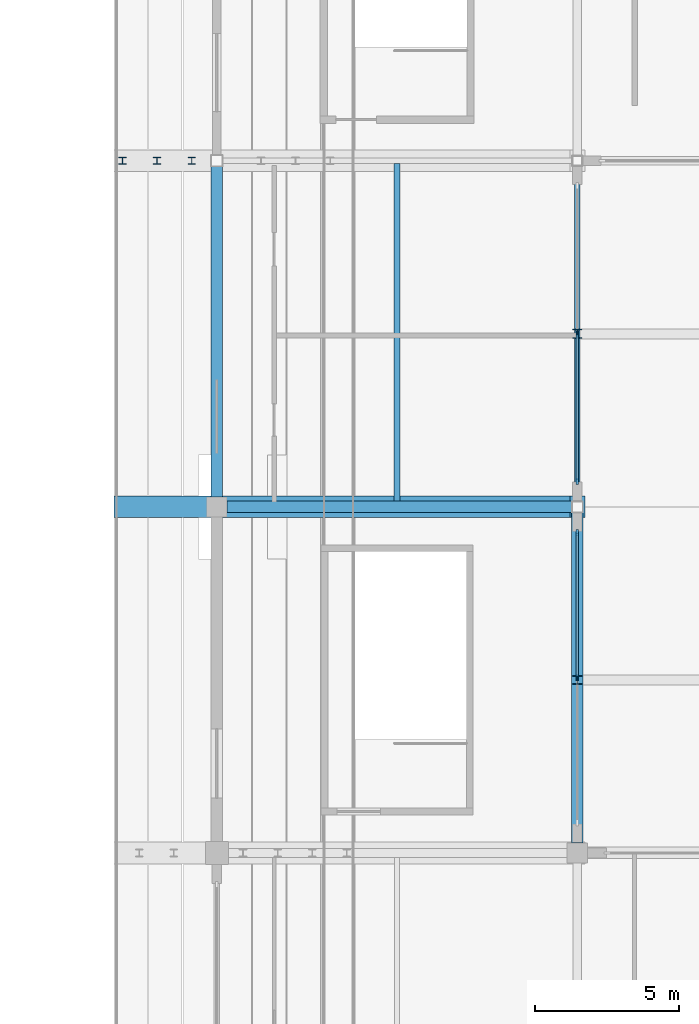
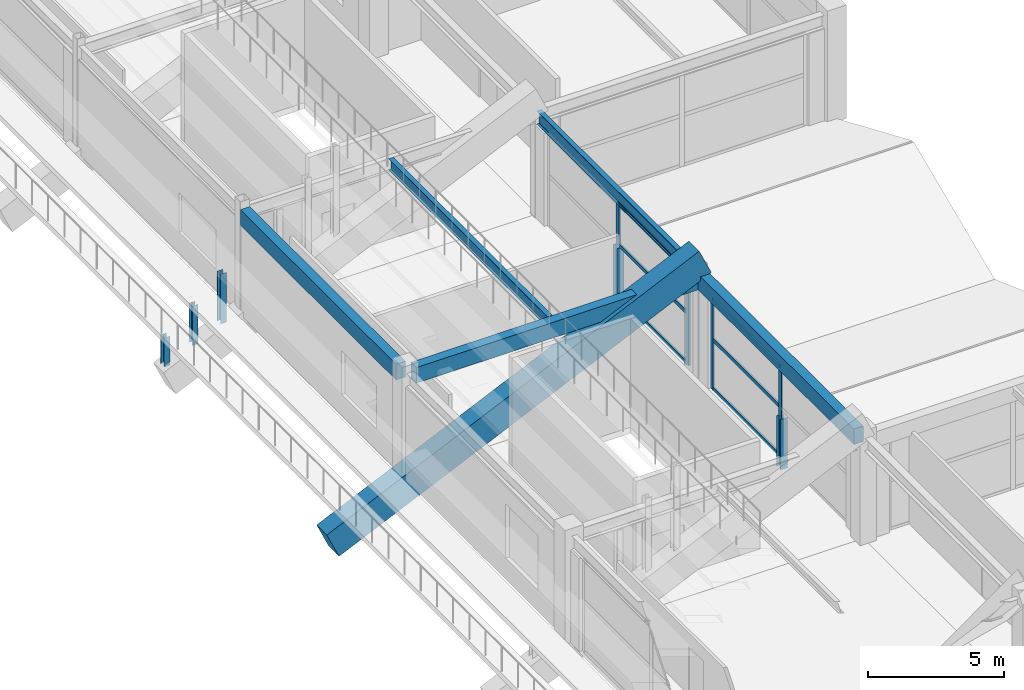
# One storey, part 54 of 128: 15 members, 6 beams, 2 elements without a shape of their own.
"""IFC4 building model written with IfcOpenShell, lengths in metres."""

from ifc_helpers import new_model, si_unit, direction, frame, origin, origin_2d, place, context, subcontext, project, spatial, rectangle, i_section, extrude, material, layer, layer_set, material_profile, profile_set, type_object, element, aggregate, save


model = new_model("IFC4")

# Units and contexts
model_context = context("Model", 3, precision=1e-05, world=origin(), true_north=direction((0.0, 1.0)))
body_context = subcontext(model_context, "Body", "Model", "MODEL_VIEW")
ifc_project = project(units=[si_unit("LENGTHUNIT", "METRE"), si_unit("AREAUNIT", "SQUARE_METRE"), si_unit("VOLUMEUNIT", "CUBIC_METRE"), si_unit("PLANEANGLEUNIT", "RADIAN"), si_unit("MASSUNIT", "GRAM", prefix="KILO")], contexts=[model_context])

# Site, building, storey
site_placement = place(None, origin())
site = spatial("IfcSite", under=ifc_project, at=site_placement, CompositionType="ELEMENT")
building_placement = place(site_placement, origin())
building = spatial("IfcBuilding", under=site, at=building_placement, Name="Kazenohara Klinker Stadium", CompositionType="ELEMENT")
storey_placement = place(building_placement, frame((0.0, 0.0, 15.300048828125)))
storey = spatial("IfcBuildingStorey", under=building, at=storey_placement, Name="L03", CompositionType="ELEMENT", Elevation=15.300048828125)

# Beams
ifc_material_1 = material(Name="Steel S355", Category="steel")
ifc_material_profile_1 = material_profile(ifc_material_1, i_section(OverallWidth=0.199951171875, OverallDepth=0.5, WebThickness=0.010009765625, FlangeThickness=0.01611328125, FilletRadius=0.012939453125, at=origin_2d()), Name="H-500x200x10x16")
ifc_profile_set_1 = profile_set([ifc_material_profile_1], Name="Steel S355")
beam_type_1 = type_object("IfcBeamType", Name="BM-JST01", PredefinedType="JOIST", material=ifc_profile_set_1)
beam_1_placement = place(storey_placement, frame((181.25, 84.199951171875, 4.510009765625), z_axis=(0.0, 1.0, 0.0), x_axis=(-1.0, 0.0, 0.0)))
element("IfcBeam", 1, at=beam_1_placement, inside=storey, type_object=beam_type_1, Name="Secondary floor joist SJ01 L03 15/H", PredefinedType="JOIST", context=body_context, shape_type="SweptSolid", body=[
    extrude(i_section(OverallWidth=0.199951171875, OverallDepth=0.5, WebThickness=0.010009765625, FlangeThickness=0.01611328125, FilletRadius=0.012939453125, at=origin_2d()), origin(), (0.0, 0.0, 1.0), 11.699951171875),
])
ifc_material_2 = material(Name="Concrete C40/50", Category="concrete")
ifc_material_profile_2 = material_profile(ifc_material_2, rectangle(XDim=0.39990234375, YDim=0.699951171875, at=origin_2d()), Name="RC-BM-400x700")
ifc_profile_set_2 = profile_set([ifc_material_profile_2], Name="Concrete C40/50")
beam_type_2 = type_object("IfcBeamType", Name="BM-RC04", PredefinedType="BEAM", material=ifc_profile_set_2)
beam_2_placement = place(storey_placement, frame((175.35009765625, 84.0, 4.409912109375), z_axis=(1.0, 0.0, 0.0), x_axis=(0.0, 1.0, 0.0)))
element("IfcBeam", 2, at=beam_2_placement, inside=storey, type_object=beam_type_2, Name="Primary girder BG04 L03 15-16/H", PredefinedType="BEAM", context=body_context, shape_type="SweptSolid", body=[
    extrude(rectangle(XDim=0.39990234375, YDim=0.699951171875, at=origin_2d()), origin(), (0.0, 0.0, 1.0), 11.949951171875),
])
for number, where, z_axis, x_axis, name in (
    (3, (175.0, 84.35009765625, 4.409912109375), (0.0, 1.0, 0.0), (-1.0, 0.0, 0.0), "Primary girder BG04 L03 15/H-J"),
    (4, (187.5, 72.35009765625, 4.409912109375), (0.0, 1.0, 0.0), (-1.0, 0.0, 0.0), "Primary girder BG04 L03 16/G-H"),
):
    element("IfcBeam", number, at=place(storey_placement, frame(where, z_axis=z_axis, x_axis=x_axis)), inside=storey, type_object=beam_type_2, Name=name, PredefinedType="BEAM", context=body_context, shape_type="SweptSolid", body=[
        extrude(rectangle(XDim=0.39990234375, YDim=0.699951171875, at=origin_2d()), origin(), (0.0, 0.0, 1.0), 11.449951171875),
    ])
ifc_material_profile_3 = material_profile(ifc_material_1, i_section(OverallWidth=0.199951171875, OverallDepth=0.60009765625, WebThickness=0.010986328125, FlangeThickness=0.01708984375, FilletRadius=0.012939453125, at=origin_2d()), Name="H-600x200x11x17")
ifc_profile_set_3 = profile_set([ifc_material_profile_3], Name="Steel S355")
beam_type_3 = type_object("IfcBeamType", Name="BM-ST04", PredefinedType="BEAM", material=ifc_profile_set_3)
beam_3_placement = place(storey_placement, frame((187.5, 84.199951171875, 4.4599609375), z_axis=(0.0, 1.0, 0.0), x_axis=(-1.0, 0.0, 0.0)))
element("IfcBeam", 5, at=beam_3_placement, inside=storey, type_object=beam_type_3, Name="Primary girder SB04 L03 16/H-J", PredefinedType="BEAM", context=body_context, shape_type="SweptSolid", body=[
    extrude(i_section(OverallWidth=0.199951171875, OverallDepth=0.60009765625, WebThickness=0.010986328125, FlangeThickness=0.01708984375, FilletRadius=0.012939453125, at=origin_2d()), origin(), (0.0, 0.0, 1.0), 11.625),
])

# Curtain wall, members
ifc_material_3 = material(Name="Anodised aluminium and triple glazing", Category="aluminium")
ifc_layer_1 = layer(ifc_material_3, 0.169921875)
ifc_layer_set_1 = layer_set([ifc_layer_1], Name="Anodised aluminium and triple glazing")
curtain_wall_type_1 = type_object("IfcCurtainWallType", Name="CW-SYS-04", PredefinedType="USERDEFINED", material=ifc_layer_set_1)
curtain_wall_1_placement = place(storey_placement, origin())
curtain_wall_1 = element("IfcCurtainWall", 6, at=curtain_wall_1_placement, inside=storey, type_object=curtain_wall_type_1, Name="Unitised facade curtain wall CW04 L03 Y15-6", ObjectType="UNITISED CURTAIN WALL", PredefinedType="USERDEFINED")
ifc_material_4 = material(Name="Anodised aluminium 6063-T6", Category="aluminium")
ifc_material_profile_4 = material_profile(ifc_material_4, rectangle(XDim=0.074951171875, YDim=0.219970703125, at=origin_2d()), Name="ALU-MUL-75x220")
ifc_profile_set_4 = profile_set([ifc_material_profile_4], Name="Anodised aluminium 6063-T6")
member_type_1 = type_object("IfcMemberType", Name="CW-MUL-220", PredefinedType="MULLION", material=ifc_profile_set_4)
member_1_placement = place(storey_placement, frame((187.5, 78.074951171875, 0.0), z_axis=(0.0, 0.0, 1.0), x_axis=(-1.0, 0.0, 0.0)))
member_1 = element("IfcMember", 7, at=member_1_placement, type_object=member_type_1, Name="CW04 mullion 2", PredefinedType="MULLION", context=body_context, shape_type="SweptSolid", body=[
    extrude(rectangle(XDim=0.074951171875, YDim=0.219970703125, at=origin_2d()), origin(), (0.0, 0.0, 1.0), 4.06005859375),
])
member_2_placement = place(storey_placement, frame((187.5, 83.1083984375, 0.0), z_axis=(0.0, 0.0, 1.0), x_axis=(-1.0, 0.0, 0.0)))
member_2 = element("IfcMember", 8, at=member_2_placement, type_object=member_type_1, Name="CW04 mullion 3", PredefinedType="MULLION", context=body_context, shape_type="SweptSolid", body=[
    extrude(rectangle(XDim=0.074951171875, YDim=0.219970703125, at=origin_2d()), origin(), (0.0, 0.0, 1.0), 4.06005859375),
])

ifc_layer_2 = layer(ifc_material_3, 0.18994140625)
ifc_layer_set_2 = layer_set([ifc_layer_2], Name="Anodised aluminium and triple glazing")
curtain_wall_type_2 = type_object("IfcCurtainWallType", Name="CW-SYS-05", PredefinedType="USERDEFINED", material=ifc_layer_set_2)
curtain_wall_2_placement = place(storey_placement, origin())
curtain_wall_2 = element("IfcCurtainWall", 9, at=curtain_wall_2_placement, inside=storey, type_object=curtain_wall_type_2, Name="Unitised facade curtain wall CW05 L03 Y15-7", ObjectType="UNITISED CURTAIN WALL", PredefinedType="USERDEFINED")
member_3_placement = place(storey_placement, frame((187.5, 84.8916015625, 0.0), z_axis=(0.0, 0.0, 1.0), x_axis=(-1.0, 0.0, 0.0)))
member_3 = element("IfcMember", 10, at=member_3_placement, type_object=member_type_1, Name="CW05 mullion 1", PredefinedType="MULLION", context=body_context, shape_type="SweptSolid", body=[
    extrude(rectangle(XDim=0.074951171875, YDim=0.219970703125, at=origin_2d()), origin(), (0.0, 0.0, 1.0), 4.159912109375),
])
member_4_placement = place(storey_placement, frame((187.5, 90.012451171875, 0.0), z_axis=(0.0, 0.0, 1.0), x_axis=(-1.0, 0.0, 0.0)))
member_4 = element("IfcMember", 11, at=member_4_placement, type_object=member_type_1, Name="CW05 mullion 2", PredefinedType="MULLION", context=body_context, shape_type="SweptSolid", body=[
    extrude(rectangle(XDim=0.074951171875, YDim=0.219970703125, at=origin_2d()), origin(), (0.0, 0.0, 1.0), 4.159912109375),
])

# Member
ifc_material_profile_5 = material_profile(ifc_material_4, rectangle(XDim=0.074951171875, YDim=0.159912109375, at=origin_2d()), Name="ALU-TRN-75x160")
ifc_profile_set_5 = profile_set([ifc_material_profile_5], Name="Anodised aluminium 6063-T6")
member_type_2 = type_object("IfcMemberType", Name="CW-TRN-160", PredefinedType="USERDEFINED", material=ifc_profile_set_5)
member_5_placement = place(storey_placement, frame((187.5, 78.112548828125, 0.037353515625), z_axis=(0.0, 1.0, 0.0), x_axis=(-1.0, 0.0, 0.0)))
member_5 = element("IfcMember", 12, at=member_5_placement, type_object=member_type_2, Name="CW04 transom 2.1", ObjectType="TRANSOM", PredefinedType="USERDEFINED", context=body_context, shape_type="SweptSolid", body=[
    extrude(rectangle(XDim=0.074951171875, YDim=0.159912109375, at=origin_2d()), origin(), (0.0, 0.0, 1.0), 4.95849609375),
])

member_6_placement = place(storey_placement, frame((187.5, 78.112548828125, 2.23291015625), z_axis=(0.0, 1.0, 0.0), x_axis=(-1.0, 0.0, 0.0)))
member_6 = element("IfcMember", 13, at=member_6_placement, type_object=member_type_2, Name="CW04 transom 2.2", ObjectType="TRANSOM", PredefinedType="USERDEFINED", context=body_context, shape_type="SweptSolid", body=[
    extrude(rectangle(XDim=0.074951171875, YDim=0.159912109375, at=origin_2d()), origin(), (0.0, 0.0, 1.0), 4.95849609375),
])

member_7_placement = place(storey_placement, frame((187.5, 78.112548828125, 4.0224609375), z_axis=(0.0, 1.0, 0.0), x_axis=(-1.0, 0.0, 0.0)))
member_7 = element("IfcMember", 14, at=member_7_placement, type_object=member_type_2, Name="CW04 transom 2.3", ObjectType="TRANSOM", PredefinedType="USERDEFINED", context=body_context, shape_type="SweptSolid", body=[
    extrude(rectangle(XDim=0.074951171875, YDim=0.159912109375, at=origin_2d()), origin(), (0.0, 0.0, 1.0), 4.95849609375),
])

aggregate(curtain_wall_1, [member_1, member_2, member_5, member_6, member_7])

member_8_placement = place(storey_placement, frame((187.5, 84.928955078125, 0.037353515625), z_axis=(0.0, 1.0, 0.0), x_axis=(-1.0, 0.0, 0.0)))
member_8 = element("IfcMember", 15, at=member_8_placement, type_object=member_type_2, Name="CW05 transom 1.1", ObjectType="TRANSOM", PredefinedType="USERDEFINED", context=body_context, shape_type="SweptSolid", body=[
    extrude(rectangle(XDim=0.074951171875, YDim=0.159912109375, at=origin_2d()), origin(), (0.0, 0.0, 1.0), 5.046142578125),
])

member_9_placement = place(storey_placement, frame((187.5, 84.928955078125, 2.287841796875), z_axis=(0.0, 1.0, 0.0), x_axis=(-1.0, 0.0, 0.0)))
member_9 = element("IfcMember", 16, at=member_9_placement, type_object=member_type_2, Name="CW05 transom 1.2", ObjectType="TRANSOM", PredefinedType="USERDEFINED", context=body_context, shape_type="SweptSolid", body=[
    extrude(rectangle(XDim=0.074951171875, YDim=0.159912109375, at=origin_2d()), origin(), (0.0, 0.0, 1.0), 5.046142578125),
])

member_10_placement = place(storey_placement, frame((187.5, 84.928955078125, 4.12255859375), z_axis=(0.0, 1.0, 0.0), x_axis=(-1.0, 0.0, 0.0)))
member_10 = element("IfcMember", 17, at=member_10_placement, type_object=member_type_2, Name="CW05 transom 1.3", ObjectType="TRANSOM", PredefinedType="USERDEFINED", context=body_context, shape_type="SweptSolid", body=[
    extrude(rectangle(XDim=0.074951171875, YDim=0.159912109375, at=origin_2d()), origin(), (0.0, 0.0, 1.0), 5.046142578125),
])

aggregate(curtain_wall_2, [member_3, member_4, member_8, member_9, member_10])

# Members
ifc_material_profile_6 = material_profile(ifc_material_1, i_section(OverallWidth=0.300048828125, OverallDepth=0.300048828125, WebThickness=0.010009765625, FlangeThickness=0.014892578125, FilletRadius=0.012939453125, at=origin_2d()), Name="H-300x300x10x15")
ifc_profile_set_6 = profile_set([ifc_material_profile_6], Name="Steel S355")
member_type_3 = type_object("IfcMemberType", Name="MEM-STR01", PredefinedType="STRUT", material=ifc_profile_set_6)
member_11_placement = place(storey_placement, frame((187.5, 78.0, -0.429931640625), z_axis=(0.0, 0.0, 1.0), x_axis=(1.0, 0.0, 0.0)))
element("IfcMember", 18, at=member_11_placement, inside=storey, type_object=member_type_3, Name="Stepped pavilion gable king-post L03 16/G W", PredefinedType="STRUT", context=body_context, shape_type="SweptSolid", body=[
    extrude(i_section(OverallWidth=0.300048828125, OverallDepth=0.300048828125, WebThickness=0.010009765625, FlangeThickness=0.014892578125, FilletRadius=0.012939453125, at=origin_2d()), origin(), (0.0, 0.0, 1.0), 2.259765625),
])
member_12_placement = place(storey_placement, frame((187.5, 90.0, -0.429931640625), z_axis=(0.0, 0.0, 1.0), x_axis=(1.0, 0.0, 0.0)))
element("IfcMember", 19, at=member_12_placement, inside=storey, type_object=member_type_3, Name="Stepped pavilion gable king-post L03 16/H W", PredefinedType="STRUT", context=body_context, shape_type="SweptSolid", body=[
    extrude(i_section(OverallWidth=0.300048828125, OverallDepth=0.300048828125, WebThickness=0.010009765625, FlangeThickness=0.014892578125, FilletRadius=0.012939453125, at=origin_2d()), origin(), (0.0, 0.0, 1.0), 2.659912109375),
])
ifc_material_profile_7 = material_profile(ifc_material_1, i_section(OverallWidth=0.25, OverallDepth=0.25, WebThickness=0.009033203125, FlangeThickness=0.013916015625, FilletRadius=0.012939453125, at=origin_2d()), Name="H-250x250x9x14")
ifc_profile_set_7 = profile_set([ifc_material_profile_7], Name="Steel S355")
member_type_4 = type_object("IfcMemberType", Name="MEM-STR02", PredefinedType="STRUT", material=ifc_profile_set_7)
member_13_placement = place(storey_placement, frame((174.1298828125, 96.0, -0.141845703125), z_axis=(0.0, 0.0, 1.0), x_axis=(1.0, 0.0, 0.0)))
element("IfcMember", 20, at=member_13_placement, inside=storey, type_object=member_type_4, Name="Precast tier riser stool UPPER-E-05-08", PredefinedType="STRUT", context=body_context, shape_type="SweptSolid", body=[
    extrude(i_section(OverallWidth=0.25, OverallDepth=0.25, WebThickness=0.009033203125, FlangeThickness=0.013916015625, FilletRadius=0.012939453125, at=origin_2d()), origin(), (0.0, 0.0, 1.0), 2.228515625),
])
member_14_placement = place(storey_placement, frame((172.929931640625, 96.0, -0.68896484375), z_axis=(0.0, 0.0, 1.0), x_axis=(1.0, 0.0, 0.0)))
element("IfcMember", 21, at=member_14_placement, inside=storey, type_object=member_type_4, Name="Precast tier riser stool UPPER-E-06-08", PredefinedType="STRUT", context=body_context, shape_type="SweptSolid", body=[
    extrude(i_section(OverallWidth=0.25, OverallDepth=0.25, WebThickness=0.009033203125, FlangeThickness=0.013916015625, FilletRadius=0.012939453125, at=origin_2d()), origin(), (0.0, 0.0, 1.0), 1.767333984375),
])
member_15_placement = place(storey_placement, frame((171.72998046875, 96.0, -1.235595703125), z_axis=(0.0, 0.0, 1.0), x_axis=(1.0, 0.0, 0.0)))
element("IfcMember", 22, at=member_15_placement, inside=storey, type_object=member_type_4, Name="Precast tier riser stool UPPER-E-07-08", PredefinedType="STRUT", context=body_context, shape_type="SweptSolid", body=[
    extrude(i_section(OverallWidth=0.25, OverallDepth=0.25, WebThickness=0.009033203125, FlangeThickness=0.013916015625, FilletRadius=0.012939453125, at=origin_2d()), origin(), (0.0, 0.0, 1.0), 1.3056640625),
])

# Beam
ifc_material_5 = material(Name="Precast concrete C50/60", Category="concrete")
ifc_material_profile_8 = material_profile(ifc_material_5, rectangle(XDim=0.75, YDim=1.25, at=origin_2d()), Name="PC-RAKER-750x1250")
ifc_profile_set_8 = profile_set([ifc_material_profile_8], Name="Precast concrete C50/60")
beam_type_4 = type_object("IfcBeamType", Name="RAKER-RK02", PredefinedType="USERDEFINED", material=ifc_profile_set_8)
beam_4_placement = place(storey_placement, frame((187.5, 84.0, 5.351318359375), z_axis=(-0.909973134945, 0.0, -0.414667208348), x_axis=(0.0, -1.0, 0.0)))
element("IfcBeam", 23, at=beam_4_placement, inside=storey, type_object=beam_type_4, Name="Precast bowl raker girder RK02 UPPER East H", ObjectType="RAKER", PredefinedType="USERDEFINED", context=body_context, shape_type="SweptSolid", body=[
    extrude(rectangle(XDim=0.75, YDim=1.25, at=origin_2d()), origin(), (0.0, 0.0, 1.0), 17.36328125),
])

save(model, "model.ifc")
